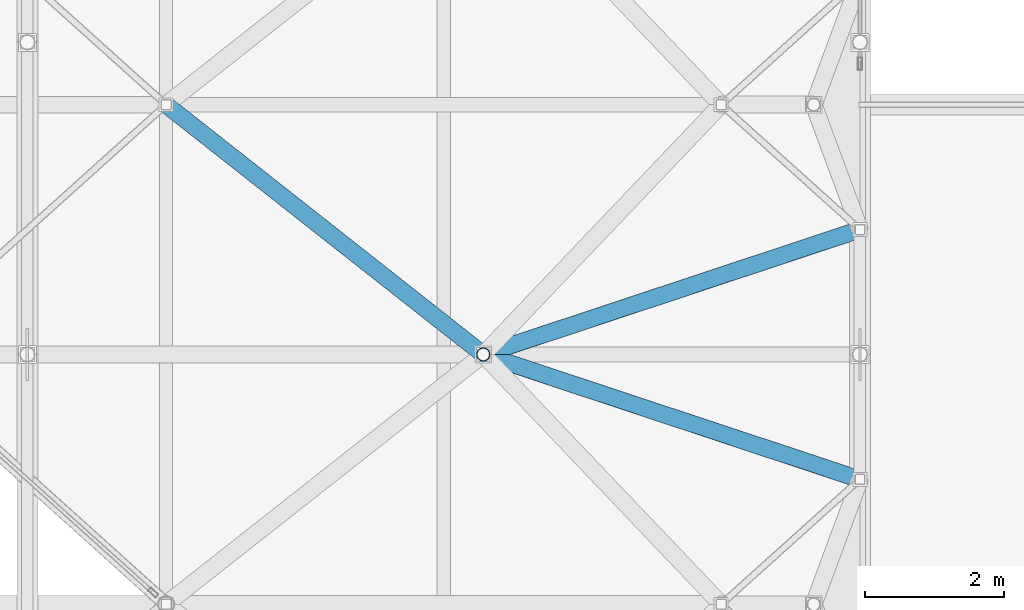
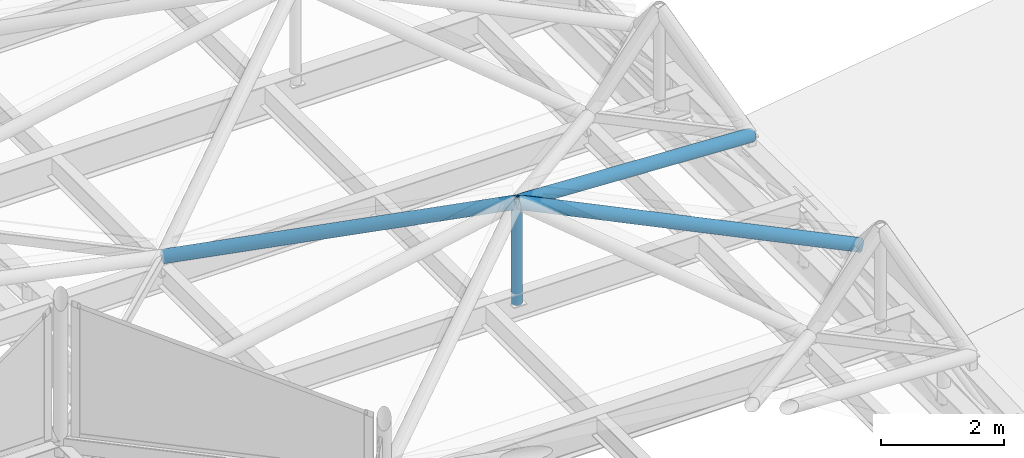
# One storey, part 137 of 239: 4 members.
"""IFC4 building model written with IfcOpenShell, lengths in metres."""

from ifc_helpers import new_model, si_unit, direction, frame, origin, origin_2d, place, context, subcontext, project, spatial, hollow_circle, extrude, material, material_profile, profile_set, type_object, element, save


model = new_model("IFC4")

# Units and contexts
model_context = context("Model", 3, precision=1e-05, world=origin(), true_north=direction((0.0, 1.0)))
body_context = subcontext(model_context, "Body", "Model", "MODEL_VIEW")
ifc_project = project(units=[si_unit("LENGTHUNIT", "METRE"), si_unit("AREAUNIT", "SQUARE_METRE"), si_unit("VOLUMEUNIT", "CUBIC_METRE"), si_unit("PLANEANGLEUNIT", "RADIAN"), si_unit("MASSUNIT", "GRAM", prefix="KILO")], contexts=[model_context])

# Site, building, storey
site_placement = place(None, origin())
site = spatial("IfcSite", under=ifc_project, at=site_placement, CompositionType="ELEMENT")
building_placement = place(site_placement, origin())
building = spatial("IfcBuilding", under=site, at=building_placement, Name="Dunvalen Ferry Terminal", CompositionType="ELEMENT")
storey_placement = place(building_placement, frame((0.0, 0.0, 9.840087890625)))
storey = spatial("IfcBuildingStorey", under=building, at=storey_placement, Name="L02", CompositionType="ELEMENT", Elevation=9.840087890625)

# Members
ifc_material = material(Name="Steel S355", Category="steel")
ifc_material_profile_1 = material_profile(ifc_material, hollow_circle(Radius=0.096923828125, WallThickness=0.008056640625, at=origin_2d()), Name="Steel S355")
ifc_profile_set_1 = profile_set([ifc_material_profile_1], Name="Steel S355")
member_type_1 = type_object("IfcMemberType", Name="STR-MB-CHS193", PredefinedType="STRUT", material=ifc_profile_set_1)
member_1_placement = place(storey_placement, frame((90.5712890625, 68.39990234375, 0.77001953125), z_axis=(0.0, 0.0, 1.0), x_axis=(1.0, 0.0, 0.0)))
element("IfcMember", 1, at=member_1_placement, inside=storey, type_object=member_type_1, Name="HEX-42 Pyramid Apex Strut", PredefinedType="STRUT", context=body_context, shape_type="SweptSolid", body=[
    extrude(hollow_circle(Radius=0.096923828125, WallThickness=0.008056640625, at=origin_2d()), origin(), (0.0, 0.0, 1.0), 1.994873046875),
])
ifc_material_profile_2 = material_profile(ifc_material, hollow_circle(Radius=0.122314453125, WallThickness=0.010009765625, at=origin_2d()), Name="Steel S355")
ifc_profile_set_2 = profile_set([ifc_material_profile_2], Name="Steel S355")
member_type_2 = type_object("IfcMemberType", Name="STR-MB-CHS244", PredefinedType="STRUT", material=ifc_profile_set_2)
for number, where, z_axis, x_axis, name in (
    (2, (96.0, 66.60009765625, 1.099853515625), (-0.911358563077, 0.302146758725, 0.279522638972), (-0.314690609143, -0.949194300719, 0.0), "HEX-42 Pyramid Hip Rafter 4"),
    (3, (96.0, 70.199951171875, 1.099853515625), (-0.911347276527, -0.302184002061, 0.279519177276), (0.314729068317, -0.949181549313, 0.0), "HEX-42 Pyramid Hip Rafter 5"),
):
    element("IfcMember", number, at=place(storey_placement, frame(where, z_axis=z_axis, x_axis=x_axis)), inside=storey, type_object=member_type_2, Name=name, PredefinedType="STRUT", context=body_context, shape_type="SweptSolid", body=[
        extrude(hollow_circle(Radius=0.122314453125, WallThickness=0.010009765625, at=origin_2d()), origin(), (0.0, 0.0, 1.0), 5.956787109375),
    ])
member_2_placement = place(storey_placement, frame((86.0, 72.0, 1.099853515625), z_axis=(0.755303948682, -0.594836147579, 0.275110709785), x_axis=(0.61871061037, 0.785618979287, 0.0)))
element("IfcMember", 4, at=member_2_placement, inside=storey, type_object=member_type_2, Name="HEX-42 Pyramid Hip Rafter 7", PredefinedType="STRUT", context=body_context, shape_type="SweptSolid", body=[
    extrude(hollow_circle(Radius=0.122314453125, WallThickness=0.010009765625, at=origin_2d()), origin(), (0.0, 0.0, 1.0), 6.05224609375),
])

save(model, "model.ifc")
